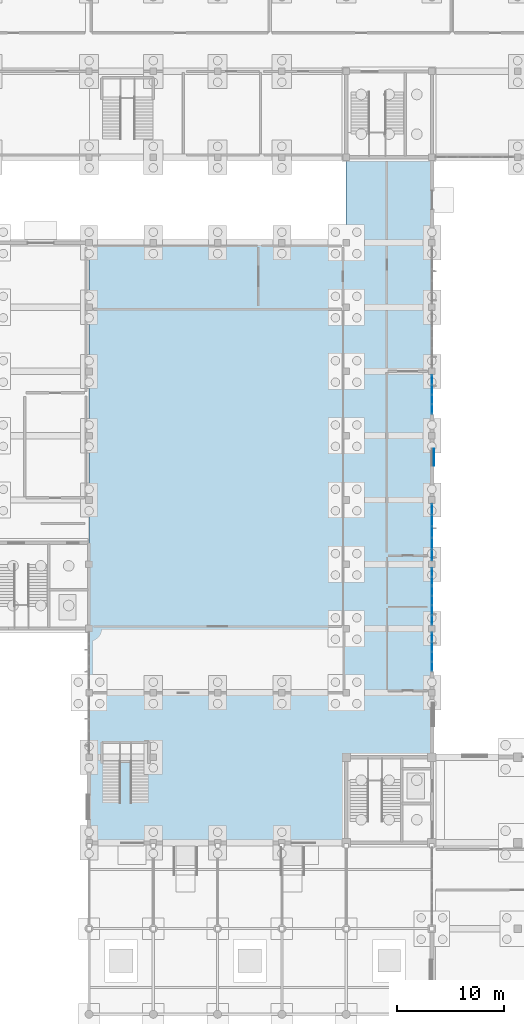
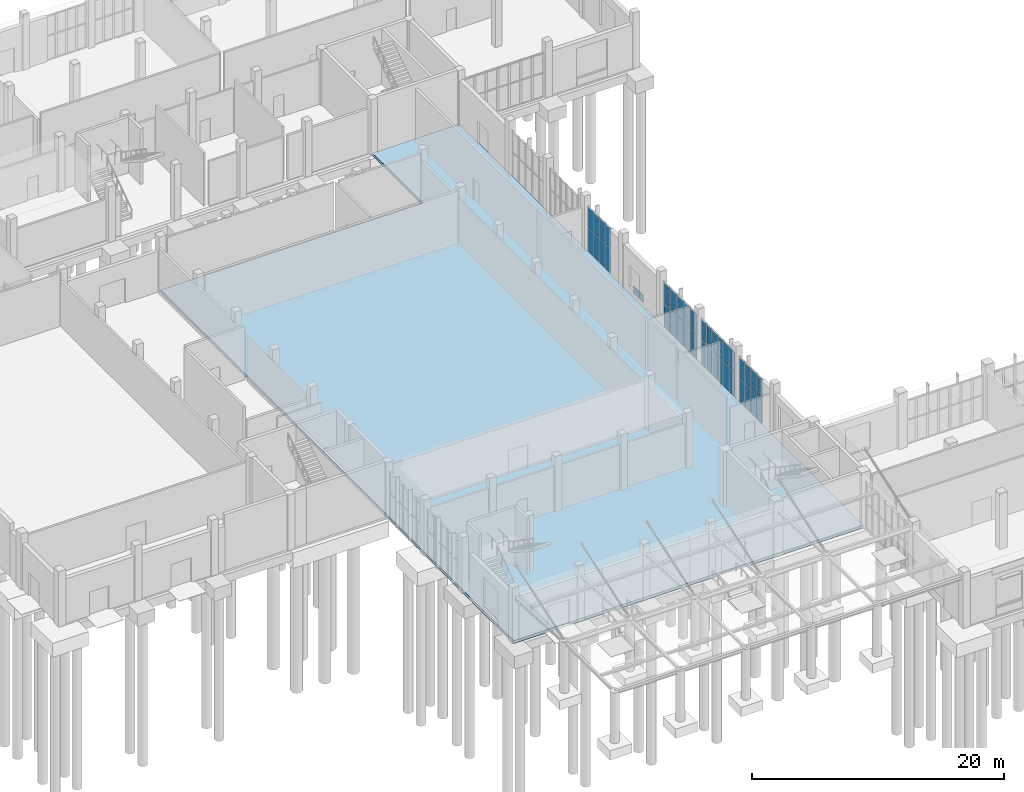
# One storey, part 31 of 69: 39 plates, 1 slab, 5 elements without a shape of their own.
"""IFC4 building model written with IfcOpenShell, lengths in metres."""

from ifc_helpers import new_model, si_unit, direction, frame, origin, origin_2d, place, context, subcontext, project, spatial, polyline, rectangle, outline, extrude, material, layer, layer_set, type_object, element, aggregate, save


model = new_model("IFC4")

# Units and contexts
model_context = context("Model", 3, precision=1e-05, world=origin(), true_north=direction((0.0, 1.0)))
body_context = subcontext(model_context, "Body", "Model", "MODEL_VIEW")
ifc_project = project(units=[si_unit("LENGTHUNIT", "METRE"), si_unit("AREAUNIT", "SQUARE_METRE"), si_unit("VOLUMEUNIT", "CUBIC_METRE"), si_unit("PLANEANGLEUNIT", "RADIAN"), si_unit("MASSUNIT", "GRAM", prefix="KILO")], contexts=[model_context])

# Site, building, storey
site_placement = place(None, origin())
site = spatial("IfcSite", under=ifc_project, at=site_placement, CompositionType="ELEMENT")
building_placement = place(site_placement, origin())
building = spatial("IfcBuilding", under=site, at=building_placement, Name="Solvane Community Centre", CompositionType="ELEMENT")
storey_placement = place(building_placement, origin())
storey = spatial("IfcBuildingStorey", under=building, at=storey_placement, Name="L00", CompositionType="ELEMENT", Elevation=0.0)

# Plate
ifc_material_1 = material(Name="Anodised bronze aluminium AW-6063 T6", Category="aluminium")
ifc_layer_1 = layer(ifc_material_1, 0.02392578125)
ifc_layer_set_1 = layer_set([ifc_layer_1], Name="Anodised bronze aluminium AW-6063 T6")
plate_type_1 = type_object("IfcPlateType", Name="Bronze Spandrel Cassette 24mm", PredefinedType="SHEET", material=ifc_layer_set_1)
plate_1_placement = place(storey_placement, frame((68.201904296875, 58.0, 0.06005859375), z_axis=(0.0, 0.0, 1.0), x_axis=(0.0, -1.0, 0.0)))
element("IfcPlate", 1, at=plate_1_placement, inside=storey, type_object=plate_type_1, Name="Art Deco Spandrel SPC-L00-014", PredefinedType="SHEET", context=body_context, shape_type="SweptSolid", body=[
    extrude(rectangle(XDim=1.60009765625, YDim=0.02392578125, at=origin_2d()), origin(), (0.0, 0.0, 1.0), 0.719970703125),
])

# Curtain wall, plates
ifc_layer_2 = layer(ifc_material_1, 0.18994140625)
ifc_layer_set_2 = layer_set([ifc_layer_2], Name="Anodised bronze aluminium AW-6063 T6")
curtain_wall_type_1 = type_object("IfcCurtainWallType", Name="Boulevard Bronze Vision Curtain Wall [17x44dm]", PredefinedType="NOTDEFINED", material=ifc_layer_set_2)
curtain_wall_1_placement = place(storey_placement, origin())
curtain_wall_1 = element("IfcCurtainWall", 2, at=curtain_wall_1_placement, inside=storey, type_object=curtain_wall_type_1, Name="Curtain Wall CW-L00-680_477-020", PredefinedType="NOTDEFINED")
ifc_material_2 = material(Name="Tempered low-E double glazing", Category="glass")
ifc_layer_3 = layer(ifc_material_2, 0.028076171875)
ifc_layer_set_3 = layer_set([ifc_layer_3], Name="Tempered low-E double glazing")
plate_type_2 = type_object("IfcPlateType", Name="Low-E Vision Glazing Panel 28mm [17x44dm]", PredefinedType="CURTAIN_PANEL", material=ifc_layer_set_3)
plate_2_placement = place(storey_placement, frame((68.0, 47.2451171875, 0.06005859375), z_axis=(0.0, 0.0, 1.0), x_axis=(0.0, -1.0, 0.0)))
plate_2 = element("IfcPlate", 3, at=plate_2_placement, type_object=plate_type_2, Name="CW02-17x44 panel 1.1", PredefinedType="CURTAIN_PANEL", context=body_context, shape_type="SweptSolid", body=[
    extrude(rectangle(XDim=0.75, YDim=0.028076171875, at=origin_2d()), origin(), (0.0, 0.0, 1.0), 2.343994140625),
])
plate_3_placement = place(storey_placement, frame((68.0, 47.2451171875, 2.464111328125), z_axis=(0.0, 0.0, 1.0), x_axis=(0.0, -1.0, 0.0)))
plate_3 = element("IfcPlate", 4, at=plate_3_placement, type_object=plate_type_2, Name="CW02-17x44 panel 1.2", PredefinedType="CURTAIN_PANEL", context=body_context, shape_type="SweptSolid", body=[
    extrude(rectangle(XDim=0.75, YDim=0.028076171875, at=origin_2d()), origin(), (0.0, 0.0, 1.0), 1.90087890625),
])
plate_4_placement = place(storey_placement, frame((68.0, 46.43505859375, 0.06005859375), z_axis=(0.0, 0.0, 1.0), x_axis=(0.0, -1.0, 0.0)))
plate_4 = element("IfcPlate", 5, at=plate_4_placement, type_object=plate_type_2, Name="CW02-17x44 panel 2.1", PredefinedType="CURTAIN_PANEL", context=body_context, shape_type="SweptSolid", body=[
    extrude(rectangle(XDim=0.75, YDim=0.028076171875, at=origin_2d()), origin(), (0.0, 0.0, 1.0), 2.343994140625),
])
plate_5_placement = place(storey_placement, frame((68.0, 46.43505859375, 2.464111328125), z_axis=(0.0, 0.0, 1.0), x_axis=(0.0, -1.0, 0.0)))
plate_5 = element("IfcPlate", 6, at=plate_5_placement, type_object=plate_type_2, Name="CW02-17x44 panel 2.2", PredefinedType="CURTAIN_PANEL", context=body_context, shape_type="SweptSolid", body=[
    extrude(rectangle(XDim=0.75, YDim=0.028076171875, at=origin_2d()), origin(), (0.0, 0.0, 1.0), 1.90087890625),
])
aggregate(curtain_wall_1, [plate_2, plate_3, plate_4, plate_5])

ifc_layer_4 = layer(ifc_material_1, 0.18994140625)
ifc_layer_set_4 = layer_set([ifc_layer_4], Name="Anodised bronze aluminium AW-6063 T6")
curtain_wall_type_2 = type_object("IfcCurtainWallType", Name="Boulevard Bronze Vision Curtain Wall [37x44dm]", PredefinedType="NOTDEFINED", material=ifc_layer_set_4)
curtain_wall_2_placement = place(storey_placement, origin())
curtain_wall_2 = element("IfcCurtainWall", 7, at=curtain_wall_2_placement, inside=storey, type_object=curtain_wall_type_2, Name="Curtain Wall CW-L00-680_657-018", PredefinedType="NOTDEFINED")
ifc_layer_5 = layer(ifc_material_2, 0.028076171875)
ifc_layer_set_5 = layer_set([ifc_layer_5], Name="Tempered low-E double glazing")
plate_type_3 = type_object("IfcPlateType", Name="Low-E Vision Glazing Panel 28mm [37x44dm]", PredefinedType="CURTAIN_PANEL", material=ifc_layer_set_5)
plate_6_placement = place(storey_placement, frame((68.0, 65.205078125, 0.06005859375), z_axis=(0.0, 0.0, 1.0), x_axis=(0.0, -1.0, 0.0)))
plate_6 = element("IfcPlate", 8, at=plate_6_placement, type_object=plate_type_3, Name="CW02-37x44 panel 1.1", PredefinedType="CURTAIN_PANEL", context=body_context, shape_type="SweptSolid", body=[
    extrude(rectangle(XDim=0.830078125, YDim=0.028076171875, at=origin_2d()), origin(), (0.0, 0.0, 1.0), 2.343994140625),
])
plate_7_placement = place(storey_placement, frame((68.0, 65.205078125, 2.464111328125), z_axis=(0.0, 0.0, 1.0), x_axis=(0.0, -1.0, 0.0)))
plate_7 = element("IfcPlate", 9, at=plate_7_placement, type_object=plate_type_3, Name="CW02-37x44 panel 1.2", PredefinedType="CURTAIN_PANEL", context=body_context, shape_type="SweptSolid", body=[
    extrude(rectangle(XDim=0.830078125, YDim=0.028076171875, at=origin_2d()), origin(), (0.0, 0.0, 1.0), 1.90087890625),
])
plate_8_placement = place(storey_placement, frame((68.0, 64.300048828125, 0.06005859375), z_axis=(0.0, 0.0, 1.0), x_axis=(0.0, -1.0, 0.0)))
plate_8 = element("IfcPlate", 10, at=plate_8_placement, type_object=plate_type_3, Name="CW02-37x44 panel 2.1", PredefinedType="CURTAIN_PANEL", context=body_context, shape_type="SweptSolid", body=[
    extrude(rectangle(XDim=0.860107421875, YDim=0.028076171875, at=origin_2d()), origin(), (0.0, 0.0, 1.0), 2.343994140625),
])
plate_9_placement = place(storey_placement, frame((68.0, 64.300048828125, 2.464111328125), z_axis=(0.0, 0.0, 1.0), x_axis=(0.0, -1.0, 0.0)))
plate_9 = element("IfcPlate", 11, at=plate_9_placement, type_object=plate_type_3, Name="CW02-37x44 panel 2.2", PredefinedType="CURTAIN_PANEL", context=body_context, shape_type="SweptSolid", body=[
    extrude(rectangle(XDim=0.860107421875, YDim=0.028076171875, at=origin_2d()), origin(), (0.0, 0.0, 1.0), 1.90087890625),
])
plate_10_placement = place(storey_placement, frame((68.0, 63.3798828125, 0.06005859375), z_axis=(0.0, 0.0, 1.0), x_axis=(0.0, -1.0, 0.0)))
plate_10 = element("IfcPlate", 12, at=plate_10_placement, type_object=plate_type_3, Name="CW02-37x44 panel 3.1", PredefinedType="CURTAIN_PANEL", context=body_context, shape_type="SweptSolid", body=[
    extrude(rectangle(XDim=0.860107421875, YDim=0.028076171875, at=origin_2d()), origin(), (0.0, 0.0, 1.0), 2.343994140625),
])
plate_11_placement = place(storey_placement, frame((68.0, 63.3798828125, 2.464111328125), z_axis=(0.0, 0.0, 1.0), x_axis=(0.0, -1.0, 0.0)))
plate_11 = element("IfcPlate", 13, at=plate_11_placement, type_object=plate_type_3, Name="CW02-37x44 panel 3.2", PredefinedType="CURTAIN_PANEL", context=body_context, shape_type="SweptSolid", body=[
    extrude(rectangle(XDim=0.860107421875, YDim=0.028076171875, at=origin_2d()), origin(), (0.0, 0.0, 1.0), 1.90087890625),
])
plate_12_placement = place(storey_placement, frame((68.0, 62.47509765625, 0.06005859375), z_axis=(0.0, 0.0, 1.0), x_axis=(0.0, -1.0, 0.0)))
plate_12 = element("IfcPlate", 14, at=plate_12_placement, type_object=plate_type_3, Name="CW02-37x44 panel 4.1", PredefinedType="CURTAIN_PANEL", context=body_context, shape_type="SweptSolid", body=[
    extrude(rectangle(XDim=0.830078125, YDim=0.028076171875, at=origin_2d()), origin(), (0.0, 0.0, 1.0), 2.343994140625),
])
plate_13_placement = place(storey_placement, frame((68.0, 62.47509765625, 2.464111328125), z_axis=(0.0, 0.0, 1.0), x_axis=(0.0, -1.0, 0.0)))
plate_13 = element("IfcPlate", 15, at=plate_13_placement, type_object=plate_type_3, Name="CW02-37x44 panel 4.2", PredefinedType="CURTAIN_PANEL", context=body_context, shape_type="SweptSolid", body=[
    extrude(rectangle(XDim=0.830078125, YDim=0.028076171875, at=origin_2d()), origin(), (0.0, 0.0, 1.0), 1.90087890625),
])
aggregate(curtain_wall_2, [plate_6, plate_7, plate_8, plate_9, plate_10, plate_11, plate_12, plate_13])

curtain_wall_3_placement = place(storey_placement, origin())
curtain_wall_3 = element("IfcCurtainWall", 16, at=curtain_wall_3_placement, inside=storey, type_object=curtain_wall_type_2, Name="Curtain Wall CW-L00-680_460-021", PredefinedType="NOTDEFINED")
plate_14_placement = place(storey_placement, frame((68.0, 45.52490234375, 0.06005859375), z_axis=(0.0, 0.0, 1.0), x_axis=(0.0, -1.0, 0.0)))
plate_14 = element("IfcPlate", 17, at=plate_14_placement, type_object=plate_type_3, Name="CW02-37x44 panel 1.1", PredefinedType="CURTAIN_PANEL", context=body_context, shape_type="SweptSolid", body=[
    extrude(rectangle(XDim=0.830078125, YDim=0.028076171875, at=origin_2d()), origin(), (0.0, 0.0, 1.0), 2.343994140625),
])
plate_15_placement = place(storey_placement, frame((68.0, 45.52490234375, 2.464111328125), z_axis=(0.0, 0.0, 1.0), x_axis=(0.0, -1.0, 0.0)))
plate_15 = element("IfcPlate", 18, at=plate_15_placement, type_object=plate_type_3, Name="CW02-37x44 panel 1.2", PredefinedType="CURTAIN_PANEL", context=body_context, shape_type="SweptSolid", body=[
    extrude(rectangle(XDim=0.830078125, YDim=0.028076171875, at=origin_2d()), origin(), (0.0, 0.0, 1.0), 1.90087890625),
])
plate_16_placement = place(storey_placement, frame((68.0, 44.6201171875, 0.06005859375), z_axis=(0.0, 0.0, 1.0), x_axis=(0.0, -1.0, 0.0)))
plate_16 = element("IfcPlate", 19, at=plate_16_placement, type_object=plate_type_3, Name="CW02-37x44 panel 2.1", PredefinedType="CURTAIN_PANEL", context=body_context, shape_type="SweptSolid", body=[
    extrude(rectangle(XDim=0.860107421875, YDim=0.028076171875, at=origin_2d()), origin(), (0.0, 0.0, 1.0), 2.343994140625),
])
plate_17_placement = place(storey_placement, frame((68.0, 44.6201171875, 2.464111328125), z_axis=(0.0, 0.0, 1.0), x_axis=(0.0, -1.0, 0.0)))
plate_17 = element("IfcPlate", 20, at=plate_17_placement, type_object=plate_type_3, Name="CW02-37x44 panel 2.2", PredefinedType="CURTAIN_PANEL", context=body_context, shape_type="SweptSolid", body=[
    extrude(rectangle(XDim=0.860107421875, YDim=0.028076171875, at=origin_2d()), origin(), (0.0, 0.0, 1.0), 1.90087890625),
])
plate_18_placement = place(storey_placement, frame((68.0, 43.699951171875, 0.06005859375), z_axis=(0.0, 0.0, 1.0), x_axis=(0.0, -1.0, 0.0)))
plate_18 = element("IfcPlate", 21, at=plate_18_placement, type_object=plate_type_3, Name="CW02-37x44 panel 3.1", PredefinedType="CURTAIN_PANEL", context=body_context, shape_type="SweptSolid", body=[
    extrude(rectangle(XDim=0.860107421875, YDim=0.028076171875, at=origin_2d()), origin(), (0.0, 0.0, 1.0), 2.343994140625),
])
plate_19_placement = place(storey_placement, frame((68.0, 43.699951171875, 2.464111328125), z_axis=(0.0, 0.0, 1.0), x_axis=(0.0, -1.0, 0.0)))
plate_19 = element("IfcPlate", 22, at=plate_19_placement, type_object=plate_type_3, Name="CW02-37x44 panel 3.2", PredefinedType="CURTAIN_PANEL", context=body_context, shape_type="SweptSolid", body=[
    extrude(rectangle(XDim=0.860107421875, YDim=0.028076171875, at=origin_2d()), origin(), (0.0, 0.0, 1.0), 1.90087890625),
])
plate_20_placement = place(storey_placement, frame((68.0, 42.794921875, 0.06005859375), z_axis=(0.0, 0.0, 1.0), x_axis=(0.0, -1.0, 0.0)))
plate_20 = element("IfcPlate", 23, at=plate_20_placement, type_object=plate_type_3, Name="CW02-37x44 panel 4.1", PredefinedType="CURTAIN_PANEL", context=body_context, shape_type="SweptSolid", body=[
    extrude(rectangle(XDim=0.830078125, YDim=0.028076171875, at=origin_2d()), origin(), (0.0, 0.0, 1.0), 2.343994140625),
])
plate_21_placement = place(storey_placement, frame((68.0, 42.794921875, 2.464111328125), z_axis=(0.0, 0.0, 1.0), x_axis=(0.0, -1.0, 0.0)))
plate_21 = element("IfcPlate", 24, at=plate_21_placement, type_object=plate_type_3, Name="CW02-37x44 panel 4.2", PredefinedType="CURTAIN_PANEL", context=body_context, shape_type="SweptSolid", body=[
    extrude(rectangle(XDim=0.830078125, YDim=0.028076171875, at=origin_2d()), origin(), (0.0, 0.0, 1.0), 1.90087890625),
])
aggregate(curtain_wall_3, [plate_14, plate_15, plate_16, plate_17, plate_18, plate_19, plate_20, plate_21])

curtain_wall_4_placement = place(storey_placement, origin())
curtain_wall_4 = element("IfcCurtainWall", 25, at=curtain_wall_4_placement, inside=storey, type_object=curtain_wall_type_2, Name="Curtain Wall CW-L00-680_417-022", PredefinedType="NOTDEFINED")
plate_22_placement = place(storey_placement, frame((68.0, 41.205078125, 0.06005859375), z_axis=(0.0, 0.0, 1.0), x_axis=(0.0, -1.0, 0.0)))
plate_22 = element("IfcPlate", 26, at=plate_22_placement, type_object=plate_type_3, Name="CW02-37x44 panel 1.1", PredefinedType="CURTAIN_PANEL", context=body_context, shape_type="SweptSolid", body=[
    extrude(rectangle(XDim=0.830078125, YDim=0.028076171875, at=origin_2d()), origin(), (0.0, 0.0, 1.0), 2.343994140625),
])
plate_23_placement = place(storey_placement, frame((68.0, 41.205078125, 2.464111328125), z_axis=(0.0, 0.0, 1.0), x_axis=(0.0, -1.0, 0.0)))
plate_23 = element("IfcPlate", 27, at=plate_23_placement, type_object=plate_type_3, Name="CW02-37x44 panel 1.2", PredefinedType="CURTAIN_PANEL", context=body_context, shape_type="SweptSolid", body=[
    extrude(rectangle(XDim=0.830078125, YDim=0.028076171875, at=origin_2d()), origin(), (0.0, 0.0, 1.0), 1.90087890625),
])
plate_24_placement = place(storey_placement, frame((68.0, 40.300048828125, 0.06005859375), z_axis=(0.0, 0.0, 1.0), x_axis=(0.0, -1.0, 0.0)))
plate_24 = element("IfcPlate", 28, at=plate_24_placement, type_object=plate_type_3, Name="CW02-37x44 panel 2.1", PredefinedType="CURTAIN_PANEL", context=body_context, shape_type="SweptSolid", body=[
    extrude(rectangle(XDim=0.860107421875, YDim=0.028076171875, at=origin_2d()), origin(), (0.0, 0.0, 1.0), 2.343994140625),
])
plate_25_placement = place(storey_placement, frame((68.0, 40.300048828125, 2.464111328125), z_axis=(0.0, 0.0, 1.0), x_axis=(0.0, -1.0, 0.0)))
plate_25 = element("IfcPlate", 29, at=plate_25_placement, type_object=plate_type_3, Name="CW02-37x44 panel 2.2", PredefinedType="CURTAIN_PANEL", context=body_context, shape_type="SweptSolid", body=[
    extrude(rectangle(XDim=0.860107421875, YDim=0.028076171875, at=origin_2d()), origin(), (0.0, 0.0, 1.0), 1.90087890625),
])
plate_26_placement = place(storey_placement, frame((68.0, 39.3798828125, 0.06005859375), z_axis=(0.0, 0.0, 1.0), x_axis=(0.0, -1.0, 0.0)))
plate_26 = element("IfcPlate", 30, at=plate_26_placement, type_object=plate_type_3, Name="CW02-37x44 panel 3.1", PredefinedType="CURTAIN_PANEL", context=body_context, shape_type="SweptSolid", body=[
    extrude(rectangle(XDim=0.860107421875, YDim=0.028076171875, at=origin_2d()), origin(), (0.0, 0.0, 1.0), 2.343994140625),
])
plate_27_placement = place(storey_placement, frame((68.0, 39.3798828125, 2.464111328125), z_axis=(0.0, 0.0, 1.0), x_axis=(0.0, -1.0, 0.0)))
plate_27 = element("IfcPlate", 31, at=plate_27_placement, type_object=plate_type_3, Name="CW02-37x44 panel 3.2", PredefinedType="CURTAIN_PANEL", context=body_context, shape_type="SweptSolid", body=[
    extrude(rectangle(XDim=0.860107421875, YDim=0.028076171875, at=origin_2d()), origin(), (0.0, 0.0, 1.0), 1.90087890625),
])
plate_28_placement = place(storey_placement, frame((68.0, 38.47509765625, 0.06005859375), z_axis=(0.0, 0.0, 1.0), x_axis=(0.0, -1.0, 0.0)))
plate_28 = element("IfcPlate", 32, at=plate_28_placement, type_object=plate_type_3, Name="CW02-37x44 panel 4.1", PredefinedType="CURTAIN_PANEL", context=body_context, shape_type="SweptSolid", body=[
    extrude(rectangle(XDim=0.830078125, YDim=0.028076171875, at=origin_2d()), origin(), (0.0, 0.0, 1.0), 2.343994140625),
])
plate_29_placement = place(storey_placement, frame((68.0, 38.47509765625, 2.464111328125), z_axis=(0.0, 0.0, 1.0), x_axis=(0.0, -1.0, 0.0)))
plate_29 = element("IfcPlate", 33, at=plate_29_placement, type_object=plate_type_3, Name="CW02-37x44 panel 4.2", PredefinedType="CURTAIN_PANEL", context=body_context, shape_type="SweptSolid", body=[
    extrude(rectangle(XDim=0.830078125, YDim=0.028076171875, at=origin_2d()), origin(), (0.0, 0.0, 1.0), 1.90087890625),
])
aggregate(curtain_wall_4, [plate_22, plate_23, plate_24, plate_25, plate_26, plate_27, plate_28, plate_29])

ifc_layer_6 = layer(ifc_material_1, 0.18994140625)
ifc_layer_set_6 = layer_set([ifc_layer_6], Name="Anodised bronze aluminium AW-6063 T6")
curtain_wall_type_3 = type_object("IfcCurtainWallType", Name="Boulevard Bronze Vision Curtain Wall [54x44dm]", PredefinedType="NOTDEFINED", material=ifc_layer_set_6)
curtain_wall_5_placement = place(storey_placement, origin())
curtain_wall_5 = element("IfcCurtainWall", 34, at=curtain_wall_5_placement, inside=storey, type_object=curtain_wall_type_3, Name="Curtain Wall CW-L00-680_537-019", PredefinedType="NOTDEFINED")
ifc_layer_7 = layer(ifc_material_2, 0.028076171875)
ifc_layer_set_7 = layer_set([ifc_layer_7], Name="Tempered low-E double glazing")
plate_type_4 = type_object("IfcPlateType", Name="Low-E Vision Glazing Panel 28mm [54x44dm]", PredefinedType="CURTAIN_PANEL", material=ifc_layer_set_7)
plate_30_placement = place(storey_placement, frame((68.0, 53.12890625, 0.06005859375), z_axis=(0.0, 0.0, 1.0), x_axis=(0.0, -1.0, 0.0)))
plate_30 = element("IfcPlate", 35, at=plate_30_placement, type_object=plate_type_4, Name="CW02-54x44 panel 1.1", PredefinedType="CURTAIN_PANEL", context=body_context, shape_type="SweptSolid", body=[
    extrude(rectangle(XDim=0.98193359375, YDim=0.028076171875, at=origin_2d()), origin(), (0.0, 0.0, 1.0), 2.343994140625),
])
plate_31_placement = place(storey_placement, frame((68.0, 53.12890625, 2.464111328125), z_axis=(0.0, 0.0, 1.0), x_axis=(0.0, -1.0, 0.0)))
plate_31 = element("IfcPlate", 36, at=plate_31_placement, type_object=plate_type_4, Name="CW02-54x44 panel 1.2", PredefinedType="CURTAIN_PANEL", context=body_context, shape_type="SweptSolid", body=[
    extrude(rectangle(XDim=0.98193359375, YDim=0.028076171875, at=origin_2d()), origin(), (0.0, 0.0, 1.0), 1.90087890625),
])
plate_32_placement = place(storey_placement, frame((68.0, 52.072021484375, 0.06005859375), z_axis=(0.0, 0.0, 1.0), x_axis=(0.0, -1.0, 0.0)))
plate_32 = element("IfcPlate", 37, at=plate_32_placement, type_object=plate_type_4, Name="CW02-54x44 panel 2.1", PredefinedType="CURTAIN_PANEL", context=body_context, shape_type="SweptSolid", body=[
    extrude(rectangle(XDim=1.011962890625, YDim=0.028076171875, at=origin_2d()), origin(), (0.0, 0.0, 1.0), 2.343994140625),
])
plate_33_placement = place(storey_placement, frame((68.0, 52.072021484375, 2.464111328125), z_axis=(0.0, 0.0, 1.0), x_axis=(0.0, -1.0, 0.0)))
plate_33 = element("IfcPlate", 38, at=plate_33_placement, type_object=plate_type_4, Name="CW02-54x44 panel 2.2", PredefinedType="CURTAIN_PANEL", context=body_context, shape_type="SweptSolid", body=[
    extrude(rectangle(XDim=1.011962890625, YDim=0.028076171875, at=origin_2d()), origin(), (0.0, 0.0, 1.0), 1.90087890625),
])
plate_34_placement = place(storey_placement, frame((68.0, 51.0, 0.06005859375), z_axis=(0.0, 0.0, 1.0), x_axis=(0.0, -1.0, 0.0)))
plate_34 = element("IfcPlate", 39, at=plate_34_placement, type_object=plate_type_4, Name="CW02-54x44 panel 3.1", PredefinedType="CURTAIN_PANEL", context=body_context, shape_type="SweptSolid", body=[
    extrude(rectangle(XDim=1.011962890625, YDim=0.028076171875, at=origin_2d()), origin(), (0.0, 0.0, 1.0), 2.343994140625),
])
plate_35_placement = place(storey_placement, frame((68.0, 51.0, 2.464111328125), z_axis=(0.0, 0.0, 1.0), x_axis=(0.0, -1.0, 0.0)))
plate_35 = element("IfcPlate", 40, at=plate_35_placement, type_object=plate_type_4, Name="CW02-54x44 panel 3.2", PredefinedType="CURTAIN_PANEL", context=body_context, shape_type="SweptSolid", body=[
    extrude(rectangle(XDim=1.011962890625, YDim=0.028076171875, at=origin_2d()), origin(), (0.0, 0.0, 1.0), 1.90087890625),
])
plate_36_placement = place(storey_placement, frame((68.0, 49.927978515625, 0.06005859375), z_axis=(0.0, 0.0, 1.0), x_axis=(0.0, -1.0, 0.0)))
plate_36 = element("IfcPlate", 41, at=plate_36_placement, type_object=plate_type_4, Name="CW02-54x44 panel 4.1", PredefinedType="CURTAIN_PANEL", context=body_context, shape_type="SweptSolid", body=[
    extrude(rectangle(XDim=1.011962890625, YDim=0.028076171875, at=origin_2d()), origin(), (0.0, 0.0, 1.0), 2.343994140625),
])
plate_37_placement = place(storey_placement, frame((68.0, 49.927978515625, 2.464111328125), z_axis=(0.0, 0.0, 1.0), x_axis=(0.0, -1.0, 0.0)))
plate_37 = element("IfcPlate", 42, at=plate_37_placement, type_object=plate_type_4, Name="CW02-54x44 panel 4.2", PredefinedType="CURTAIN_PANEL", context=body_context, shape_type="SweptSolid", body=[
    extrude(rectangle(XDim=1.011962890625, YDim=0.028076171875, at=origin_2d()), origin(), (0.0, 0.0, 1.0), 1.90087890625),
])
plate_38_placement = place(storey_placement, frame((68.0, 48.87109375, 0.06005859375), z_axis=(0.0, 0.0, 1.0), x_axis=(0.0, -1.0, 0.0)))
plate_38 = element("IfcPlate", 43, at=plate_38_placement, type_object=plate_type_4, Name="CW02-54x44 panel 5.1", PredefinedType="CURTAIN_PANEL", context=body_context, shape_type="SweptSolid", body=[
    extrude(rectangle(XDim=0.98193359375, YDim=0.028076171875, at=origin_2d()), origin(), (0.0, 0.0, 1.0), 2.343994140625),
])
plate_39_placement = place(storey_placement, frame((68.0, 48.87109375, 2.464111328125), z_axis=(0.0, 0.0, 1.0), x_axis=(0.0, -1.0, 0.0)))
plate_39 = element("IfcPlate", 44, at=plate_39_placement, type_object=plate_type_4, Name="CW02-54x44 panel 5.2", PredefinedType="CURTAIN_PANEL", context=body_context, shape_type="SweptSolid", body=[
    extrude(rectangle(XDim=0.98193359375, YDim=0.028076171875, at=origin_2d()), origin(), (0.0, 0.0, 1.0), 1.90087890625),
])
aggregate(curtain_wall_5, [plate_30, plate_31, plate_32, plate_33, plate_34, plate_35, plate_36, plate_37, plate_38, plate_39])

# Slab
ifc_material_3 = material(Name="Concrete C35/45", Category="concrete")
ifc_layer_8 = layer(ifc_material_3, 0.280029296875)
ifc_layer_set_8 = layer_set([ifc_layer_8], Name="Concrete C35/45")
slab_type = type_object("IfcSlabType", Name="RC Ground Base Slab 280mm [FP-L00-V1]", PredefinedType="BASESLAB", material=ifc_layer_set_8)
slab_placement = place(storey_placement, frame((0.0, 0.0, -0.280029296875)))
element("IfcSlab", 45, at=slab_placement, inside=storey, type_object=slab_type, Name="Floor Slab FP-L00-V1", PredefinedType="BASESLAB", context=body_context, shape_type="SweptSolid", body=[
    extrude(outline(polyline([(36.0, 22.0), (68.0, 22.0), (68.0, 86.0), (60.0, 86.0), (60.0, 78.0), (36.0, 78.0), (36.0, 22.0)])), origin(), (0.0, 0.0, 1.0), 0.280029296875),
])

save(model, "model.ifc")
